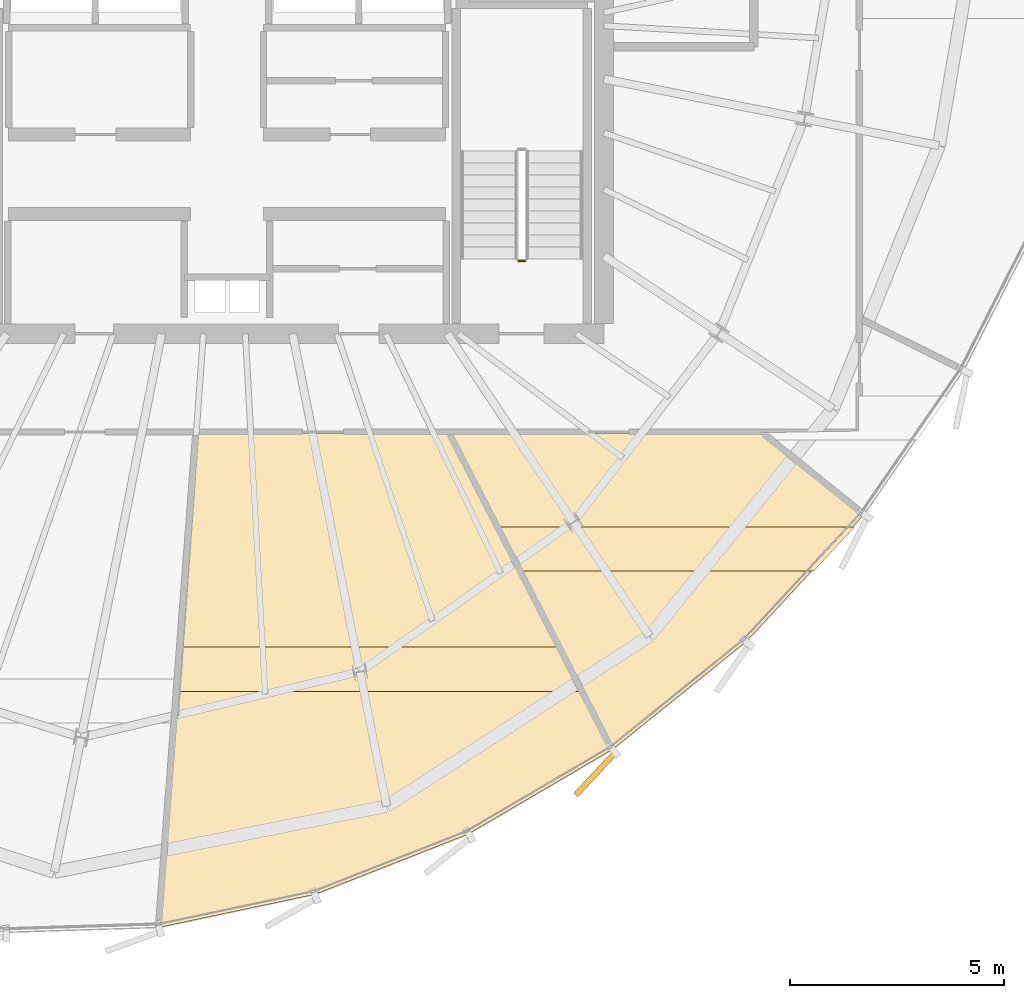
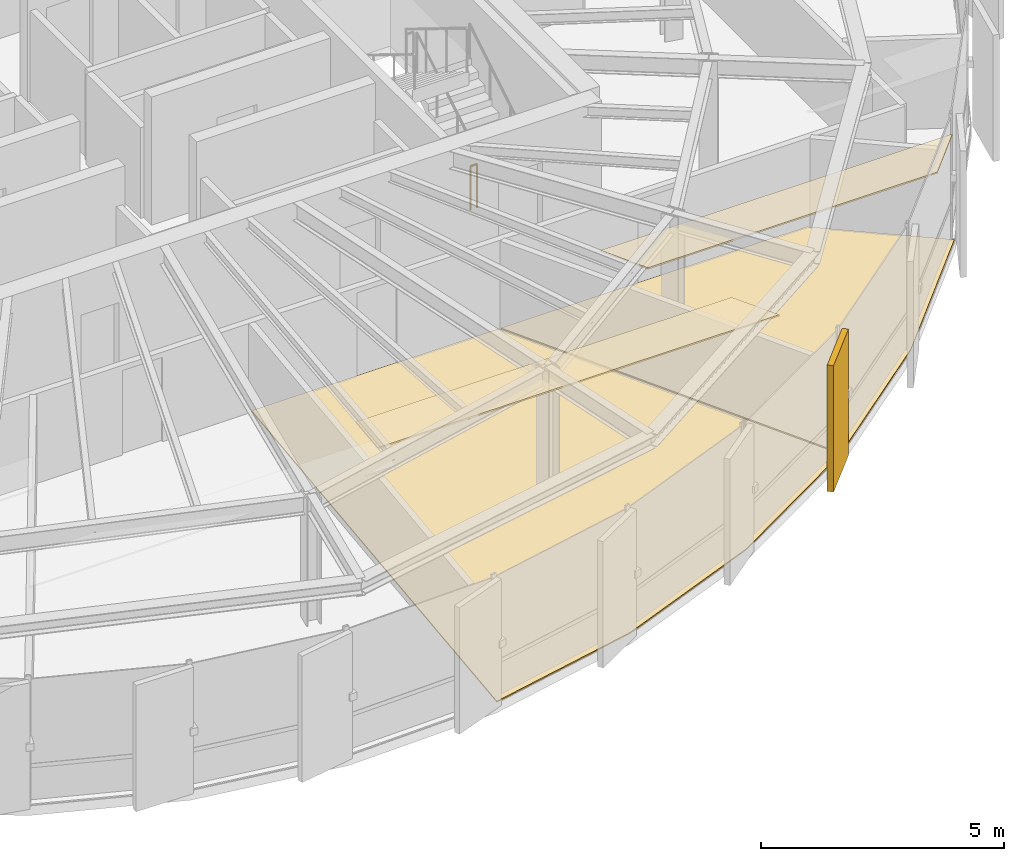
# One storey, part 33 of 36: 5 coverings, 1 railing.
"""IFC4 building model written with IfcOpenShell, lengths in metres."""

import ifcopenshell
import ifcopenshell.guid

model = None  # the IFC model being written
_history = None  # IfcOwnerHistory: only IFC2X3 demands one
_inside = {}  # id of a spatial element -> (the spatial element, [elements in it])
_under = {}  # id of a project, library or spatial element -> (it, [spatial elements below it])
_declared = {}  # id of a project -> (the project, [libraries it declares])
_typed = {}  # id of a type object -> (the type object, [elements of that type])
_made_of = {}  # id of a material, layer set ... -> (it, [elements and type objects made of it])


def new_model(schema):
    """Start an empty IFC model of exactly this schema.

    Asked for "IFC4X3", IfcOpenShell would pick the latest addendum, in which some entities
    have other attributes; the version numbers below select the first issue.
    IFC2X3 requires an IfcOwnerHistory on every rooted entity: one is made here for all.
    """
    global model, _history
    if schema == "IFC4X3":
        model = ifcopenshell.file(schema_version=(4, 3, 0, 0))
    else:
        model = ifcopenshell.file(schema=schema)
    _inside.clear()
    _under.clear()
    _declared.clear()
    _typed.clear()
    _made_of.clear()
    _history = None
    if model.schema == "IFC2X3":
        org = make("IfcOrganization", Name="unknown")
        user = make(
            "IfcPersonAndOrganization",
            ThePerson=make("IfcPerson", FamilyName="unknown"),
            TheOrganization=org,
        )
        app = make(
            "IfcApplication",
            ApplicationDeveloper=org,
            Version="unknown",
            ApplicationFullName="unknown",
            ApplicationIdentifier="unknown",
        )
        _history = make(
            "IfcOwnerHistory",
            OwningUser=user,
            OwningApplication=app,
            ChangeAction="ADDED",
            CreationDate=0,
        )
    return model


def make(cls, **values):
    """One entity of the class cls with the attributes given. An attribute that is None is left unset."""
    return model.create_entity(
        cls, **{name: value for name, value in values.items() if value is not None}
    )


def rooted(cls, **values):
    """An entity with a GlobalId (a new one), such as an element, a storey or a relation."""
    return make(cls, GlobalId=ifcopenshell.guid.new(), OwnerHistory=_history, **values)


def si_unit(unit_type, name, prefix=None):
    """IfcSIUnit, for example si_unit("LENGTHUNIT", "METRE", prefix="MILLI")."""
    return make("IfcSIUnit", UnitType=unit_type, Prefix=prefix, Name=name)


def assignment(units):
    """IfcUnitAssignment: the units of a project."""
    return None if units is None else make("IfcUnitAssignment", Units=units)


def point(xyz):
    """IfcCartesianPoint."""
    return None if xyz is None else make("IfcCartesianPoint", Coordinates=xyz)


def direction(xyz):
    """IfcDirection."""
    return None if xyz is None else make("IfcDirection", DirectionRatios=xyz)


def frame(location, z_axis=None, x_axis=None):
    """IfcAxis2Placement3D, a coordinate frame: its origin and axes. An axis left out is left unset."""
    return make(
        "IfcAxis2Placement3D",
        Location=point(location),
        Axis=direction(z_axis),
        RefDirection=direction(x_axis),
    )


def frame_2d(location, x_axis=None):
    """IfcAxis2Placement2D, a coordinate frame in the plane: its origin and x axis."""
    return make(
        "IfcAxis2Placement2D", Location=point(location), RefDirection=direction(x_axis)
    )


def origin():
    """The frame at (0, 0, 0) with its axes left unset."""
    return frame((0.0, 0.0, 0.0))


def origin_2d():
    """The frame at (0, 0) in the plane with its x axis left unset."""
    return frame_2d((0.0, 0.0))


def place(relative_to, where):
    """IfcLocalPlacement: puts the frame where relative to a parent placement (None: the world)."""
    return make(
        "IfcLocalPlacement", PlacementRelTo=relative_to, RelativePlacement=where
    )


def context(
    kind, dimensions, precision=None, world=None, true_north=None, identifier=None
):
    """IfcGeometricRepresentationContext, for example the 3D "Model" context."""
    return make(
        "IfcGeometricRepresentationContext",
        ContextIdentifier=identifier,
        ContextType=kind,
        CoordinateSpaceDimension=dimensions,
        Precision=precision,
        WorldCoordinateSystem=world,
        TrueNorth=true_north,
    )


def subcontext(parent, identifier, kind, view, scale=None):
    """IfcGeometricRepresentationSubContext, for example "Body" below "Model"."""
    return make(
        "IfcGeometricRepresentationSubContext",
        ContextIdentifier=identifier,
        ContextType=kind,
        ParentContext=parent,
        TargetScale=scale,
        TargetView=view,
    )


def project(units=None, contexts=None):
    """IfcProject with its units and contexts."""
    return rooted(
        "IfcProject",
        Name="project",
        RepresentationContexts=contexts,
        UnitsInContext=assignment(units),
    )


def spatial(cls, under=None, at=None, **own):
    """A site, building, storey or space (cls), placed at a placement, below another one or the project."""
    s = rooted(cls, ObjectPlacement=at, **own)
    if under is not None:
        _under.setdefault(under.id(), (under, []))[1].append(s)
    return s


def polyline(points):
    """IfcPolyline through the points."""
    return make("IfcPolyline", Points=[point(p) for p in points])


def profile(cls, at=None, kind="AREA", **sizes):
    """A parametric profile (cls). Its sizes go by their IFC names, for example OverallWidth=200.0."""
    return make(cls, ProfileType=kind, Position=at, **sizes)


def rectangle(**sizes):
    """IfcRectangleProfileDef."""
    return profile("IfcRectangleProfileDef", **sizes)


def circle(**sizes):
    """IfcCircleProfileDef."""
    return profile("IfcCircleProfileDef", **sizes)


def outline(outer, holes=None, kind="AREA"):
    """IfcArbitraryClosedProfileDef: a profile drawn as a closed curve; with holes, ...WithVoids."""
    if holes is None:
        return make("IfcArbitraryClosedProfileDef", ProfileType=kind, OuterCurve=outer)
    return make(
        "IfcArbitraryProfileDefWithVoids",
        ProfileType=kind,
        OuterCurve=outer,
        InnerCurves=holes,
    )


def extrude(swept, where, along, depth):
    """IfcExtrudedAreaSolid: the profile swept, set in the frame where, extruded along a direction by depth."""
    return make(
        "IfcExtrudedAreaSolid",
        SweptArea=swept,
        Position=where,
        ExtrudedDirection=direction(along),
        Depth=depth,
    )


def shape(context_of_items, identifier, shape_type, items):
    """IfcShapeRepresentation: the items that make up one representation, for example the "Body"."""
    return make(
        "IfcShapeRepresentation",
        ContextOfItems=context_of_items,
        RepresentationIdentifier=identifier,
        RepresentationType=shape_type,
        Items=items,
    )


def source(mapping_origin, context_of_items, identifier, shape_type, items):
    """IfcRepresentationMap: a shape defined once, which mapped items show again and again."""
    return make(
        "IfcRepresentationMap",
        MappingOrigin=mapping_origin,
        MappedRepresentation=shape(context_of_items, identifier, shape_type, items),
    )


def transform(
    local_origin,
    x_axis=None,
    y_axis=None,
    z_axis=None,
    scale=None,
    scale2=None,
    scale3=None,
    uniform=True,
):
    """IfcCartesianTransformationOperator3D, or its non-uniform kind. x_axis, y_axis, z_axis: its Axis1, 2, 3."""
    if uniform:
        return make(
            "IfcCartesianTransformationOperator3D",
            Axis1=direction(x_axis),
            Axis2=direction(y_axis),
            LocalOrigin=point(local_origin),
            Scale=scale,
            Axis3=direction(z_axis),
        )
    return make(
        "IfcCartesianTransformationOperator3DnonUniform",
        Axis1=direction(x_axis),
        Axis2=direction(y_axis),
        LocalOrigin=point(local_origin),
        Scale=scale,
        Axis3=direction(z_axis),
        Scale2=scale2,
        Scale3=scale3,
    )


def mapped(mapping_source, mapping_target):
    """IfcMappedItem: shows the shape of a source again, moved by a transform."""
    return make(
        "IfcMappedItem", MappingSource=mapping_source, MappingTarget=mapping_target
    )


def material(Name=None, Category=None):
    """IfcMaterial."""
    return make("IfcMaterial", Name=Name, Category=Category)


def layer(
    of_material, thickness, ventilated=None, Name=None, Category=None, Priority=None
):
    """IfcMaterialLayer: one layer of a wall or slab, of a material (None: an air gap)."""
    return make(
        "IfcMaterialLayer",
        Material=of_material,
        LayerThickness=thickness,
        IsVentilated=ventilated,
        Name=Name,
        Category=Category,
        Priority=Priority,
    )


def layer_set(layers, Name=None):
    """IfcMaterialLayerSet."""
    return make("IfcMaterialLayerSet", MaterialLayers=layers, LayerSetName=Name)


def made_of(thing, what):
    """Note that an element or type object is made of a material, layer set ...; save() writes the relation."""
    if what is not None:
        _made_of.setdefault(what.id(), (what, []))[1].append(thing)
    return thing


def type_object(cls, material=None, **own):
    """A type object (cls), such as IfcWallType, which elements share."""
    return made_of(rooted(cls, **own), material)


def element(
    cls,
    number,
    at=None,
    inside=None,
    cuts=None,
    type_object=None,
    material=None,
    context=None,
    identifier="Body",
    shape_type=None,
    held_by="IfcProductDefinitionShape",
    body=None,
    shapes=None,
    **own,
):
    """One element of the class cls, such as IfcWall. Its Tag is "e" and its number.

    at: its placement. inside: the storey or other place that contains it. cuts: it is an
    opening in that element (IfcRelVoidsElement). A single representation is given by context,
    identifier, shape_type and body (its items); several are given by shapes. held_by: the class
    of the entity that holds the representations. save() writes the other relations.
    """
    e = rooted(cls, Tag="e%d" % number, ObjectPlacement=at, **own)
    if body is not None:
        shapes = [shape(context, identifier, shape_type, body)]
    if shapes is not None:
        e.Representation = make(held_by, Representations=shapes)
    if inside is not None:
        _inside.setdefault(inside.id(), (inside, []))[1].append(e)
    if cuts is not None:
        rooted(
            "IfcRelVoidsElement", RelatingBuildingElement=cuts, RelatedOpeningElement=e
        )
    if type_object is not None:
        _typed.setdefault(type_object.id(), (type_object, []))[1].append(e)
    return made_of(e, material)


def aggregate(whole, parts):
    """IfcRelAggregates: a whole, such as a stair, and the parts it consists of."""
    return rooted("IfcRelAggregates", RelatingObject=whole, RelatedObjects=parts)


def save(model, path):
    """Write the relations noted so far, then the file.

    IfcRelAggregates (storeys below a building ...), IfcRelContainedInSpatialStructure (elements
    in a storey), IfcRelDefinesByType, IfcRelAssociatesMaterial and IfcRelDeclares: one each for
    every whole, place, type object, material and project.
    """
    for whole, parts in _under.values():
        aggregate(whole, parts)
    for where, things in _inside.values():
        rooted(
            "IfcRelContainedInSpatialStructure",
            RelatedElements=things,
            RelatingStructure=where,
        )
    for kind, things in _typed.values():
        rooted("IfcRelDefinesByType", RelatedObjects=things, RelatingType=kind)
    for what, things in _made_of.values():
        rooted("IfcRelAssociatesMaterial", RelatedObjects=things, RelatingMaterial=what)
    for by, libraries in _declared.values():
        rooted("IfcRelDeclares", RelatingContext=by, RelatedDefinitions=libraries)
    model.write(path)


model = new_model("IFC4")

# Units and contexts
model_context = context("Model", 3, precision=1e-05, world=origin(), true_north=direction((0.0, 1.0)))
body_context = subcontext(model_context, "Body", "Model", "MODEL_VIEW")
ifc_project = project(units=[si_unit("LENGTHUNIT", "METRE"), si_unit("AREAUNIT", "SQUARE_METRE"), si_unit("VOLUMEUNIT", "CUBIC_METRE"), si_unit("PLANEANGLEUNIT", "RADIAN"), si_unit("MASSUNIT", "GRAM", prefix="KILO"), si_unit("THERMODYNAMICTEMPERATUREUNIT", "KELVIN")], contexts=[model_context])

# Site, building, storey
site_placement = place(None, origin())
site = spatial("IfcSite", under=ifc_project, at=site_placement, CompositionType="ELEMENT")
building_placement = place(site_placement, origin())
building = spatial("IfcBuilding", under=site, at=building_placement, Name="Kethvar Cultural Tower", CompositionType="ELEMENT")
storey_placement = place(building_placement, frame((0.0, 0.0, 242.199951171875)))
storey = spatial("IfcBuildingStorey", under=building, at=storey_placement, Name="L63", CompositionType="ELEMENT", Elevation=242.199951171875)

# Coverings
ifc_material_1 = material(Name="Acoustic Mineral Fibre Ceiling")
ifc_layer_1 = layer(ifc_material_1, 0.0400390625, Name="Acoustic Mineral Fibre Ceiling")
ifc_layer_set_1 = layer_set([ifc_layer_1], Name="Acoustic Mineral Fibre Ceiling (40 mm)")
covering_type_1 = type_object("IfcCoveringType", Name="CV-ACOUSTIC-CEIL", PredefinedType="CEILING", material=ifc_layer_set_1)
covering_1_placement = place(storey_placement, frame((0.0, 0.0, 2.89013671875)))
element("IfcCovering", 1, at=covering_1_placement, inside=storey, type_object=covering_type_1, Name="L63 Room 04 Acoustic Ceiling Panel", PredefinedType="CEILING", context=body_context, shape_type="SweptSolid", body=[
    extrude(outline(polyline([(45.68310546875, 12.780517578125), (54.594482421875, 12.780517578125), (55.12744140625, 11.75048828125), (45.60791015625, 11.75048828125), (45.68310546875, 12.780517578125)])), origin(), (0.0, 0.0, 1.0), 0.039794921875),
])
covering_2_placement = place(storey_placement, frame((0.0, 0.0, 2.89013671875)))
element("IfcCovering", 2, at=covering_2_placement, inside=storey, type_object=covering_type_1, Name="L63 Room 05 Acoustic Ceiling Panel", PredefinedType="CEILING", context=body_context, shape_type="SweptSolid", body=[
    extrude(outline(polyline([(53.097900390625, 15.585205078125), (61.449951171875, 15.585205078125), (60.49609375, 14.555419921875), (53.631103515625, 14.555419921875), (53.097900390625, 15.585205078125)])), origin(), (0.0, 0.0, 1.0), 0.039794921875),
])
ifc_material_2 = material(Name="Honed Warm Limestone", Category="masonry")
ifc_layer_2 = layer(ifc_material_2, 0.030029296875, Name="Honed Warm Limestone", Category="masonry")
ifc_layer_set_2 = layer_set([ifc_layer_2], Name="Honed Warm Limestone (30 mm)")
covering_type_2 = type_object("IfcCoveringType", Name="CV-STONE-FLOOR", PredefinedType="FLOORING", material=ifc_layer_set_2)
covering_3_placement = place(storey_placement, origin())
element("IfcCovering", 3, at=covering_3_placement, inside=storey, type_object=covering_type_2, Name="L63 Room 04 Floor Finish", PredefinedType="FLOORING", context=body_context, shape_type="SweptSolid", body=[
    extrude(outline(polyline([(52.409912109375, 8.407470703125), (48.8466796875, 7.0078125), (45.245849609375, 6.24560546875), (46.0888671875, 17.787109375), (51.958740234375, 17.787109375), (55.78759765625, 10.3876953125), (52.409912109375, 8.407470703125)])), origin(), (0.0, 0.0, 1.0), 0.030029296875),
])
covering_4_placement = place(storey_placement, origin())
element("IfcCovering", 4, at=covering_4_placement, inside=storey, type_object=covering_type_2, Name="L63 Room 05 Floor Finish", PredefinedType="FLOORING", context=body_context, shape_type="SweptSolid", body=[
    extrude(outline(polyline([(58.921875, 12.914306640625), (55.820556640625, 10.410888671875), (52.00390625, 17.787109375), (59.266357421875, 17.787109375), (61.6591796875, 15.8701171875), (58.921875, 12.914306640625)])), origin(), (0.0, 0.0, 1.0), 0.030029296875),
])

# Railing
ifc_material_3 = material(Name="Steel S355J2", Category="steel")
railing_type = type_object("IfcRailingType", Name="RL-STAIR-GUARD", PredefinedType="BALUSTRADE", material=ifc_material_3)
railing_placement = place(storey_placement, frame((53.760009765625, 21.800048828125, 0.0)))
element("IfcRailing", 5, at=railing_placement, inside=storey, type_object=railing_type, Name="L63 ST-02 stair guard 4", PredefinedType="BALUSTRADE", context=body_context, shape_type="SweptSolid", body=[
    extrude(circle(Radius=0.02392578125, at=origin_2d()), frame((0.0, 0.0, 1.09619140625), z_axis=(-1.0, 0.0, 0.0), x_axis=(0.0, -1.0, 0.0)), (0.0, 0.0, 1.0), 0.159912109375),
    extrude(circle(Radius=0.02099609375, at=origin_2d()), origin(), (0.0, 0.0, 1.0), 1.072021484375),
    extrude(circle(Radius=0.02099609375, at=origin_2d()), frame((-0.159912109375, 0.0, 0.0)), (0.0, 0.0, 1.0), 1.072021484375),
])

# Covering
ifc_material_4 = material(Name="Extruded Architectural Terracotta", Category="masonry")
ifc_layer_3 = layer(ifc_material_4, 0.135009765625, Name="Extruded Architectural Terracotta", Category="masonry")
ifc_layer_set_3 = layer_set([ifc_layer_3], Name="Extruded Architectural Terracotta (135 mm)")
covering_type_3 = type_object("IfcCoveringType", Name="Terracotta Facade Fin FIN-03", PredefinedType="CLADDING", material=ifc_layer_set_3)
shared_shape = source(origin(), body_context, "Body", "SweptSolid", [
    extrude(rectangle(XDim=1.35009765625, YDim=0.135009765625, at=origin_2d()), origin(), (0.0, 0.0, 1.0), 3.169921875),
])
covering_5_placement = place(storey_placement, frame((55.4033203125, 9.82470703125, 0.02001953125), z_axis=(0.0, 0.0, 1.0), x_axis=(-0.683146325917, -0.73028151927, 0.0)))
element("IfcCovering", 6, at=covering_5_placement, inside=storey, type_object=covering_type_3, Name="L63 Vertical Terracotta Fin 5.2", PredefinedType="CLADDING", context=body_context, shape_type="MappedRepresentation", body=[
    mapped(shared_shape, transform((0.0, 0.0, 0.0), scale=1.0)),
])

save(model, "model.ifc")
